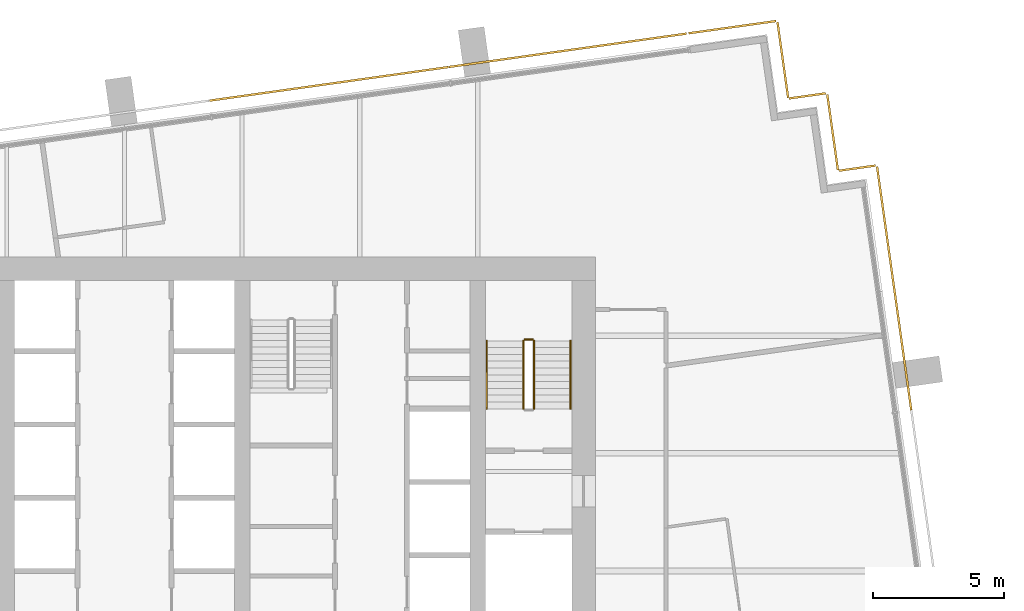
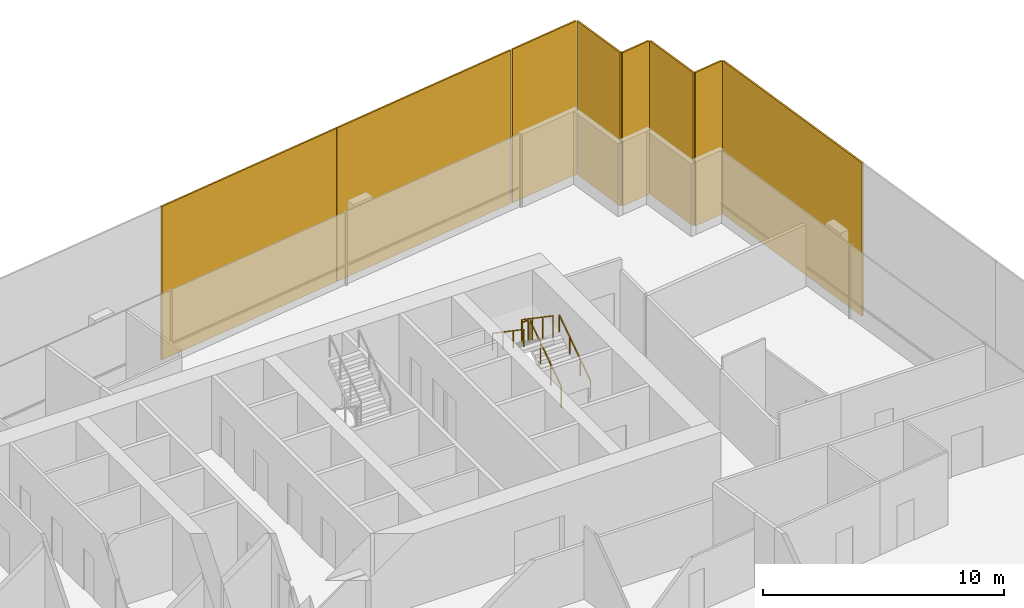
# One storey, part 17 of 17: 8 coverings, 5 railings.
"""IFC4 building model written with IfcOpenShell, lengths in metres."""

from ifc_helpers import new_model, si_unit, direction, frame, origin, origin_2d, place, context, subcontext, project, spatial, rectangle, extrude, material, layer, layer_set, type_object, element, save


model = new_model("IFC4")

# Units and contexts
model_context = context("Model", 3, precision=1e-05, world=origin(), true_north=direction((0.0, 1.0)))
body_context = subcontext(model_context, "Body", "Model", "MODEL_VIEW")
ifc_project = project(units=[si_unit("LENGTHUNIT", "METRE"), si_unit("AREAUNIT", "SQUARE_METRE"), si_unit("VOLUMEUNIT", "CUBIC_METRE"), si_unit("PLANEANGLEUNIT", "RADIAN"), si_unit("MASSUNIT", "GRAM", prefix="KILO")], contexts=[model_context])

# Site, building, storey
site_placement = place(None, origin())
site = spatial("IfcSite", under=ifc_project, at=site_placement, CompositionType="ELEMENT")
building_placement = place(site_placement, origin())
building = spatial("IfcBuilding", under=site, at=building_placement, Name="Rattan Terrace Tower", CompositionType="ELEMENT")
storey_placement = place(building_placement, frame((0.0, 0.0, 225.199951171875)))
storey = spatial("IfcBuildingStorey", under=building, at=storey_placement, Name="L51", CompositionType="ELEMENT", Elevation=225.199951171875)

# Railings
ifc_material_1 = material(Name="Powder-coated steel guard", Category="steel")
railing_type_1 = type_object("IfcRailingType", Name="Core stair guard", PredefinedType="GUARDRAIL", material=ifc_material_1)
railing_1_placement = place(storey_placement, frame((15.64990234375, 1.699951171875, 0.17724609375)))
element("IfcRailing", 1, at=railing_1_placement, inside=storey, type_object=railing_type_1, Name="L51 S2 stair guard 1", PredefinedType="GUARDRAIL", context=body_context, shape_type="SweptSolid", body=[
    extrude(rectangle(XDim=0.048095703125, YDim=0.048095703125, at=origin_2d()), frame((0.0, 0.0, 1.076171875), z_axis=(0.0, 0.826240473404, 0.563317565952), x_axis=(-1.0, 0.0, 0.0)), (0.0, 0.0, 1.0), 3.14697265625),
    extrude(rectangle(XDim=0.0419921875, YDim=0.0419921875, at=origin_2d()), origin(), (0.0, 0.0, 1.0), 1.052001953125),
    extrude(rectangle(XDim=0.0419921875, YDim=0.0419921875, at=origin_2d()), frame((0.0, 0.86669921875, 0.5908203125)), (0.0, 0.0, 1.0), 1.052001953125),
    extrude(rectangle(XDim=0.0419921875, YDim=0.0419921875, at=origin_2d()), frame((0.0, 1.7333984375, 1.181884765625)), (0.0, 0.0, 1.0), 1.052001953125),
    extrude(rectangle(XDim=0.0419921875, YDim=0.0419921875, at=origin_2d()), frame((0.0, 2.60009765625, 1.772705078125)), (0.0, 0.0, 1.0), 1.052001953125),
])
railing_2_placement = place(storey_placement, frame((15.60009765625, 4.35009765625, 1.949951171875)))
element("IfcRailing", 2, at=railing_2_placement, inside=storey, type_object=railing_type_1, Name="L51 S2 stair guard 2", PredefinedType="GUARDRAIL", context=body_context, shape_type="SweptSolid", body=[
    extrude(rectangle(XDim=0.048095703125, YDim=0.048095703125, at=origin_2d()), frame((0.0, 0.0, 1.076171875), z_axis=(-1.0, 0.0, 0.0), x_axis=(0.0, -1.0, 0.0)), (0.0, 0.0, 1.0), 0.300048828125),
    extrude(rectangle(XDim=0.0419921875, YDim=0.0419921875, at=origin_2d()), origin(), (0.0, 0.0, 1.0), 1.052001953125),
    extrude(rectangle(XDim=0.0419921875, YDim=0.0419921875, at=origin_2d()), frame((-0.300048828125, 0.0, 0.0)), (0.0, 0.0, 1.0), 1.052001953125),
])
railing_3_placement = place(storey_placement, frame((15.25, 4.300048828125, 2.12744140625)))
element("IfcRailing", 3, at=railing_3_placement, inside=storey, type_object=railing_type_1, Name="L51 S2 stair guard 3", PredefinedType="GUARDRAIL", context=body_context, shape_type="SweptSolid", body=[
    extrude(rectangle(XDim=0.048095703125, YDim=0.048095703125, at=origin_2d()), frame((0.0, 0.0, 1.076171875), z_axis=(0.0, -0.826240473404, 0.563317565952), x_axis=(1.0, 0.0, 0.0)), (0.0, 0.0, 1.0), 3.14697265625),
    extrude(rectangle(XDim=0.0419921875, YDim=0.0419921875, at=origin_2d()), origin(), (0.0, 0.0, 1.0), 1.052001953125),
    extrude(rectangle(XDim=0.0419921875, YDim=0.0419921875, at=origin_2d()), frame((0.0, -0.86669921875, 0.5908203125)), (0.0, 0.0, 1.0), 1.052001953125),
    extrude(rectangle(XDim=0.0419921875, YDim=0.0419921875, at=origin_2d()), frame((0.0, -1.7333984375, 1.181884765625)), (0.0, 0.0, 1.0), 1.052001953125),
    extrude(rectangle(XDim=0.0419921875, YDim=0.0419921875, at=origin_2d()), frame((0.0, -2.60009765625, 1.772705078125)), (0.0, 0.0, 1.0), 1.052001953125),
])
ifc_material_2 = material(Name="Powder-coated steel handrail", Category="steel")
railing_type_2 = type_object("IfcRailingType", Name="Core stair handrail", PredefinedType="HANDRAIL", material=ifc_material_2)
railing_4_placement = place(storey_placement, frame((17.050048828125, 1.699951171875, 0.17724609375)))
element("IfcRailing", 4, at=railing_4_placement, inside=storey, type_object=railing_type_2, Name="L51 S2 stair handrail 1", PredefinedType="HANDRAIL", context=body_context, shape_type="SweptSolid", body=[
    extrude(rectangle(XDim=0.048095703125, YDim=0.048095703125, at=origin_2d()), frame((0.0, 0.0, 0.8759765625), z_axis=(0.0, 0.826240473404, 0.563317565952), x_axis=(-1.0, 0.0, 0.0)), (0.0, 0.0, 1.0), 3.14697265625),
    extrude(rectangle(XDim=0.0419921875, YDim=0.0419921875, at=origin_2d()), origin(), (0.0, 0.0, 1.0), 0.851806640625),
    extrude(rectangle(XDim=0.0419921875, YDim=0.0419921875, at=origin_2d()), frame((0.0, 0.86669921875, 0.5908203125)), (0.0, 0.0, 1.0), 0.851806640625),
    extrude(rectangle(XDim=0.0419921875, YDim=0.0419921875, at=origin_2d()), frame((0.0, 1.7333984375, 1.181884765625)), (0.0, 0.0, 1.0), 0.851806640625),
    extrude(rectangle(XDim=0.0419921875, YDim=0.0419921875, at=origin_2d()), frame((0.0, 2.60009765625, 1.772705078125)), (0.0, 0.0, 1.0), 0.851806640625),
])
railing_5_placement = place(storey_placement, frame((13.85009765625, 4.300048828125, 2.12744140625)))
element("IfcRailing", 5, at=railing_5_placement, inside=storey, type_object=railing_type_2, Name="L51 S2 stair handrail 2", PredefinedType="HANDRAIL", context=body_context, shape_type="SweptSolid", body=[
    extrude(rectangle(XDim=0.048095703125, YDim=0.048095703125, at=origin_2d()), frame((0.0, 0.0, 0.8759765625), z_axis=(0.0, -0.826240473404, 0.563317565952), x_axis=(1.0, 0.0, 0.0)), (0.0, 0.0, 1.0), 3.14697265625),
    extrude(rectangle(XDim=0.0419921875, YDim=0.0419921875, at=origin_2d()), origin(), (0.0, 0.0, 1.0), 0.851806640625),
    extrude(rectangle(XDim=0.0419921875, YDim=0.0419921875, at=origin_2d()), frame((0.0, -0.86669921875, 0.5908203125)), (0.0, 0.0, 1.0), 0.851806640625),
    extrude(rectangle(XDim=0.0419921875, YDim=0.0419921875, at=origin_2d()), frame((0.0, -1.7333984375, 1.181884765625)), (0.0, 0.0, 1.0), 0.851806640625),
    extrude(rectangle(XDim=0.0419921875, YDim=0.0419921875, at=origin_2d()), frame((0.0, -2.60009765625, 1.772705078125)), (0.0, 0.0, 1.0), 0.851806640625),
])

# Coverings
ifc_material_3 = material(Name="Perforated terracotta", Category="masonry")
ifc_layer = layer(ifc_material_3, 0.080078125)
ifc_layer_set = layer_set([ifc_layer], Name="Facade Terracotta Screen Panel HZ")
covering_type = type_object("IfcCoveringType", Name="Facade Terracotta Screen Panel HZ", PredefinedType="CLADDING", material=ifc_layer_set)
covering_1_placement = place(storey_placement, frame((29.420654296875, 6.302978515625, -0.18994140625), z_axis=(0.0, 0.0, 1.0), x_axis=(-0.139186165309, 0.990266232579, 0.0)))
element("IfcCovering", 6, at=covering_1_placement, inside=storey, type_object=covering_type, Name="OUTER SKIN panel L51-8", PredefinedType="CLADDING", context=body_context, shape_type="SweptSolid", body=[
    extrude(rectangle(XDim=9.39990234375, YDim=0.080078125, at=origin_2d()), origin(), (0.0, 0.0, 1.0), 7.780029296875),
])
covering_2_placement = place(storey_placement, frame((28.007080078125, 10.900634765625, -0.18994140625), z_axis=(0.0, 0.0, 1.0), x_axis=(-0.990240767803, -0.139367219175, 0.0)))
element("IfcCovering", 7, at=covering_2_placement, inside=storey, type_object=covering_type, Name="OUTER SKIN panel L51-9", PredefinedType="CLADDING", context=body_context, shape_type="SweptSolid", body=[
    extrude(rectangle(XDim=1.419677734375, YDim=0.080078125, at=origin_2d()), origin(), (0.0, 0.0, 1.0), 7.780029296875),
])
covering_3_placement = place(storey_placement, frame((27.06689453125, 12.273193359375, -0.18994140625), z_axis=(0.0, 0.0, 1.0), x_axis=(-0.139321220646, 0.990247240581, 0.0)))
element("IfcCovering", 8, at=covering_3_placement, inside=storey, type_object=covering_type, Name="OUTER SKIN panel L51-10", PredefinedType="CLADDING", context=body_context, shape_type="SweptSolid", body=[
    extrude(rectangle(XDim=2.920166015625, YDim=0.080078125, at=origin_2d()), origin(), (0.0, 0.0, 1.0), 7.780029296875),
])
covering_4_placement = place(storey_placement, frame((26.10400390625, 13.662841796875, -0.18994140625), z_axis=(0.0, 0.0, 1.0), x_axis=(-0.990240767803, -0.139367219175, 0.0)))
element("IfcCovering", 9, at=covering_4_placement, inside=storey, type_object=covering_type, Name="OUTER SKIN panel L51-11", PredefinedType="CLADDING", context=body_context, shape_type="SweptSolid", body=[
    extrude(rectangle(XDim=1.419677734375, YDim=0.080078125, at=origin_2d()), origin(), (0.0, 0.0, 1.0), 7.780029296875),
])
covering_5_placement = place(storey_placement, frame((25.163818359375, 15.03515625, -0.18994140625), z_axis=(0.0, 0.0, 1.0), x_axis=(-0.139321220646, 0.990247240581, 0.0)))
element("IfcCovering", 10, at=covering_5_placement, inside=storey, type_object=covering_type, Name="OUTER SKIN panel L51-12", PredefinedType="CLADDING", context=body_context, shape_type="SweptSolid", body=[
    extrude(rectangle(XDim=2.920166015625, YDim=0.080078125, at=origin_2d()), origin(), (0.0, 0.0, 1.0), 7.780029296875),
])
covering_6_placement = place(storey_placement, frame((23.2353515625, 16.289306640625, -0.18994140625), z_axis=(0.0, 0.0, 1.0), x_axis=(-0.990293172258, -0.138994363123, 0.0)))
element("IfcCovering", 11, at=covering_6_placement, inside=storey, type_object=covering_type, Name="OUTER SKIN panel L51-13", PredefinedType="CLADDING", context=body_context, shape_type="SweptSolid", body=[
    extrude(rectangle(XDim=3.3701171875, YDim=0.080078125, at=origin_2d()), origin(), (0.0, 0.0, 1.0), 7.780029296875),
])
covering_7_placement = place(storey_placement, frame((16.941650390625, 15.405029296875, -0.18994140625), z_axis=(0.0, 0.0, 1.0), x_axis=(-0.990267457022, -0.139177453499, 0.0)))
element("IfcCovering", 12, at=covering_7_placement, inside=storey, type_object=covering_type, Name="OUTER SKIN panel L51-14", PredefinedType="CLADDING", context=body_context, shape_type="SweptSolid", body=[
    extrude(rectangle(XDim=9.18115234375, YDim=0.080078125, at=origin_2d()), origin(), (0.0, 0.0, 1.0), 7.780029296875),
])
covering_8_placement = place(storey_placement, frame((7.815185546875, 14.122314453125, -0.18994140625), z_axis=(0.0, 0.0, 1.0), x_axis=(-0.990267457022, -0.139177453499, 0.0)))
element("IfcCovering", 13, at=covering_8_placement, inside=storey, type_object=covering_type, Name="OUTER SKIN panel L51-15", PredefinedType="CLADDING", context=body_context, shape_type="SweptSolid", body=[
    extrude(rectangle(XDim=9.2109375, YDim=0.080078125, at=origin_2d()), origin(), (0.0, 0.0, 1.0), 7.780029296875),
])

save(model, "model.ifc")
